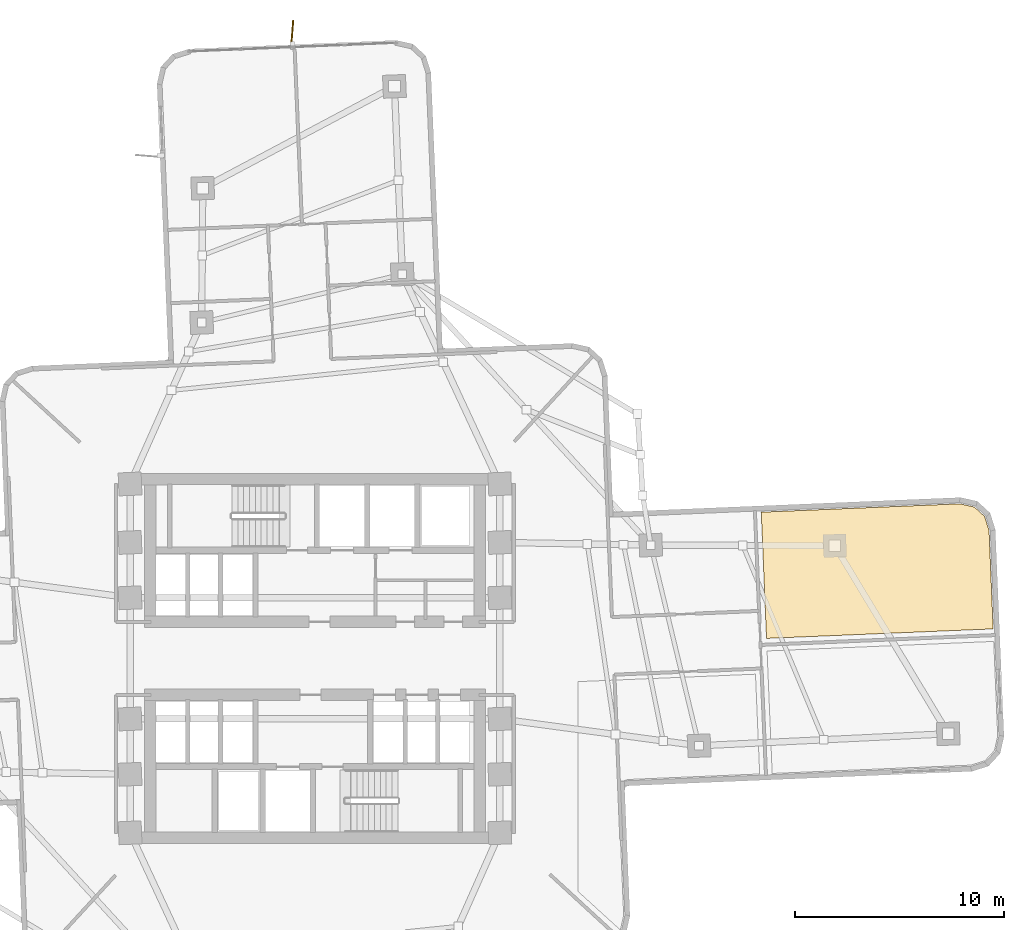
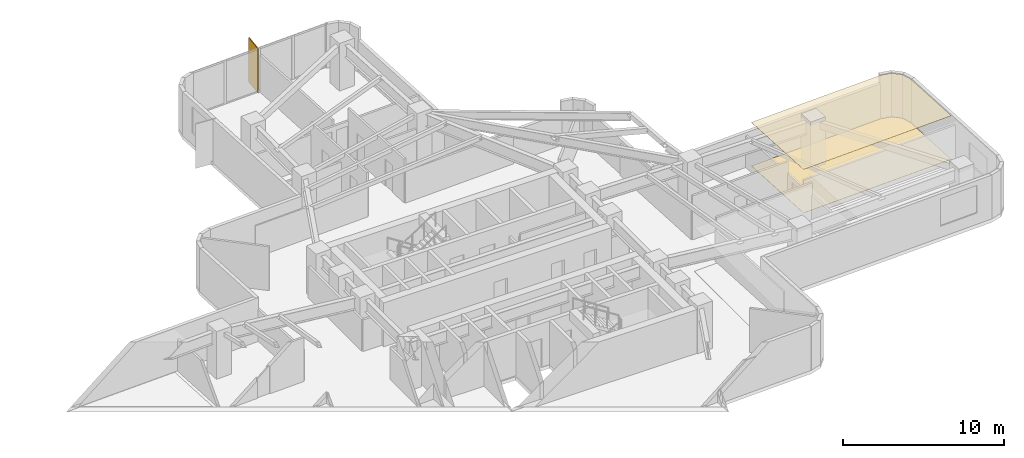
# One storey, part 15 of 15: 2 coverings, 1 shading device.
"""IFC4 building model written with IfcOpenShell, lengths in metres."""

from ifc_helpers import new_model, si_unit, direction, frame, origin, origin_2d, place, context, subcontext, project, spatial, polyline, rectangle, outline, extrude, material, layer, layer_set, type_object, element, save


model = new_model("IFC4")

# Units and contexts
model_context = context("Model", 3, precision=1e-05, world=origin(), true_north=direction((0.0, 1.0)))
body_context = subcontext(model_context, "Body", "Model", "MODEL_VIEW")
ifc_project = project(units=[si_unit("LENGTHUNIT", "METRE"), si_unit("AREAUNIT", "SQUARE_METRE"), si_unit("VOLUMEUNIT", "CUBIC_METRE"), si_unit("PLANEANGLEUNIT", "RADIAN"), si_unit("MASSUNIT", "GRAM", prefix="KILO")], contexts=[model_context])

# Site, building, storey
site_placement = place(None, origin())
site = spatial("IfcSite", under=ifc_project, at=site_placement, CompositionType="ELEMENT")
building_placement = place(site_placement, origin())
building = spatial("IfcBuilding", under=site, at=building_placement, Name="Solmarez Civic Tower", CompositionType="ELEMENT")
storey_placement = place(building_placement, frame((0.0, 0.0, 46.080078125)))
storey = spatial("IfcBuildingStorey", under=building, at=storey_placement, Name="L11", CompositionType="ELEMENT", Elevation=46.080078125)

# Coverings
ifc_material_1 = material(Name="Perforated Mineral-Fibre Acoustic Ceiling")
ifc_layer_1 = layer(ifc_material_1, 0.02490234375)
ifc_layer_set_1 = layer_set([ifc_layer_1], Name="Perforated Mineral-Fibre Acoustic Ceiling")
covering_type_1 = type_object("IfcCoveringType", Name="COV-CEIL-ACOUSTIC", PredefinedType="CEILING", material=ifc_layer_set_1)
covering_1_placement = place(storey_placement, frame((0.0, 0.0, 3.294921875)))
element("IfcCovering", 1, at=covering_1_placement, inside=storey, type_object=covering_type_1, Name="L11 Suspended Acoustic Ceiling 4", PredefinedType="CEILING", context=body_context, shape_type="SweptSolid", body=[
    extrude(outline(polyline([(32.468994140625, 1.410888671875), (32.27197265625, 6.116943359375), (32.06103515625, 6.79296875), (31.569091796875, 7.2451171875), (30.876953125, 7.39990234375), (21.365966796875, 7.0), (21.618896484375, 0.9560546875), (32.468994140625, 1.410888671875)])), origin(), (0.0, 0.0, 1.0), 0.02490234375),
])
ifc_material_2 = material(Name="Polished Tropical Stone Terrazzo Flooring", Category="masonry")
ifc_layer_2 = layer(ifc_material_2, 0.02001953125)
ifc_layer_set_2 = layer_set([ifc_layer_2], Name="Polished Tropical Stone Terrazzo Flooring")
covering_type_2 = type_object("IfcCoveringType", Name="COV-FLOOR-TERRAZZO", PredefinedType="FLOORING", material=ifc_layer_set_2)
covering_2_placement = place(storey_placement, origin())
element("IfcCovering", 2, at=covering_2_placement, inside=storey, type_object=covering_type_2, Name="L11 Terrazzo Floor Finish 4", PredefinedType="FLOORING", context=body_context, shape_type="SweptSolid", body=[
    extrude(outline(polyline([(32.468994140625, 1.410888671875), (32.27197265625, 6.116943359375), (32.06103515625, 6.79296875), (31.569091796875, 7.2451171875), (30.876953125, 7.39990234375), (21.365966796875, 7.0), (21.618896484375, 0.9560546875), (32.468994140625, 1.410888671875)])), origin(), (0.0, 0.0, 1.0), 0.02001953125),
])

# Shading device
ifc_material_3 = material(Name="Bronze Anodised Aluminium EN AW-6063 T6", Category="aluminium")
ifc_layer_3 = layer(ifc_material_3, 0.06494140625)
ifc_layer_set_3 = layer_set([ifc_layer_3], Name="Bronze Anodised Aluminium EN AW-6063 T6")
shading_device_type = type_object("IfcShadingDeviceType", Name="FIN-BRONZE-Z12", PredefinedType="USERDEFINED", material=ifc_layer_set_3)
shading_device_placement = place(storey_placement, frame((-1.092041015625, 29.885009765625, -0.0400390625), z_axis=(0.0, 0.0, 1.0), x_axis=(0.080024952375, 0.996792860627, 0.0)))
element("IfcShadingDevice", 3, at=shading_device_placement, inside=storey, type_object=shading_device_type, Name="L11 Anodised Bronze Solar Fin FIN-L11-04", ObjectType="FIN", PredefinedType="USERDEFINED", context=body_context, shape_type="SweptSolid", body=[
    extrude(rectangle(XDim=1.35009765625, YDim=0.06494140625, at=origin_2d()), origin(), (0.0, 0.0, 1.0), 3.360107421875),
])

save(model, "model.ifc")
